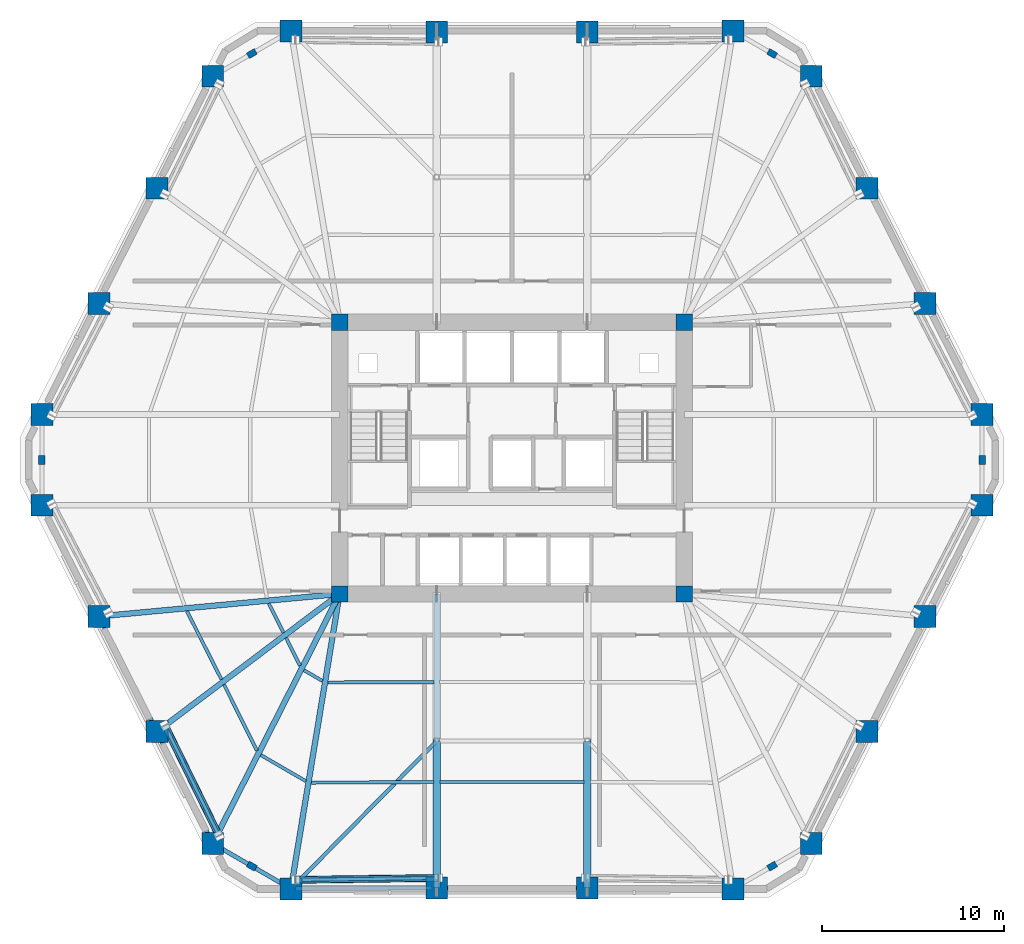
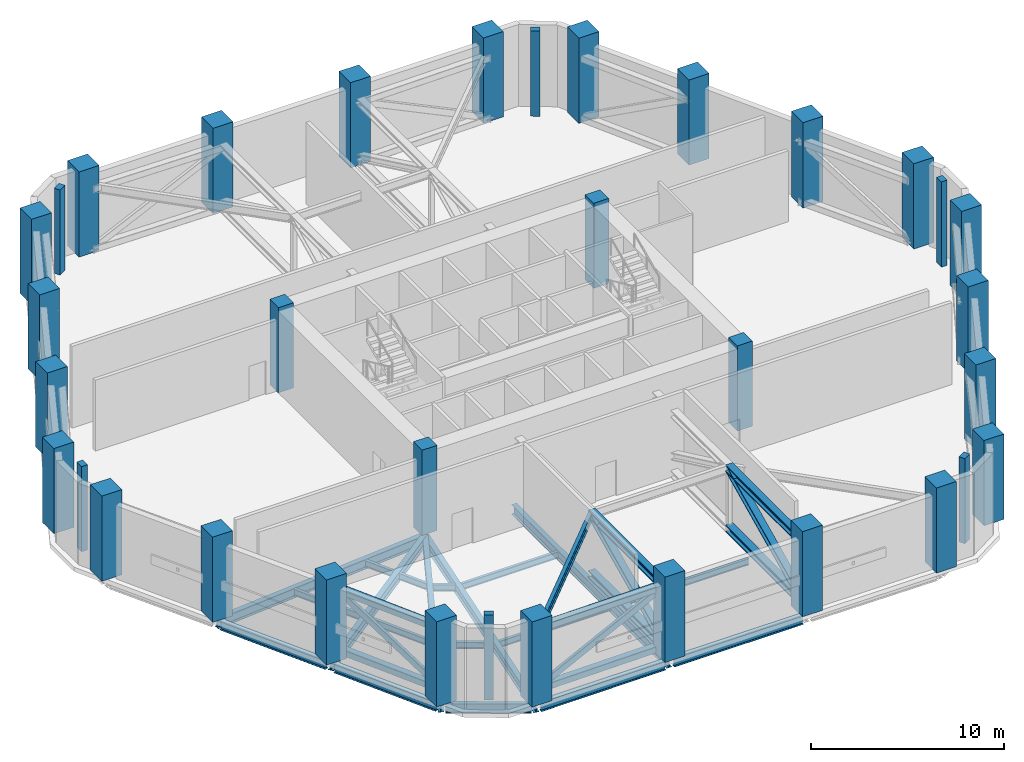
# One storey, part 1 of 19: 34 columns, 20 beams, 12 members.
"""IFC4 building model written with IfcOpenShell, lengths in metres."""

import ifcopenshell
import ifcopenshell.guid

model = None  # the IFC model being written
_history = None  # IfcOwnerHistory: only IFC2X3 demands one
_inside = {}  # id of a spatial element -> (the spatial element, [elements in it])
_under = {}  # id of a project, library or spatial element -> (it, [spatial elements below it])
_declared = {}  # id of a project -> (the project, [libraries it declares])
_typed = {}  # id of a type object -> (the type object, [elements of that type])
_made_of = {}  # id of a material, layer set ... -> (it, [elements and type objects made of it])


def new_model(schema):
    """Start an empty IFC model of exactly this schema.

    Asked for "IFC4X3", IfcOpenShell would pick the latest addendum, in which some entities
    have other attributes; the version numbers below select the first issue.
    IFC2X3 requires an IfcOwnerHistory on every rooted entity: one is made here for all.
    """
    global model, _history
    if schema == "IFC4X3":
        model = ifcopenshell.file(schema_version=(4, 3, 0, 0))
    else:
        model = ifcopenshell.file(schema=schema)
    _inside.clear()
    _under.clear()
    _declared.clear()
    _typed.clear()
    _made_of.clear()
    _history = None
    if model.schema == "IFC2X3":
        org = make("IfcOrganization", Name="unknown")
        user = make(
            "IfcPersonAndOrganization",
            ThePerson=make("IfcPerson", FamilyName="unknown"),
            TheOrganization=org,
        )
        app = make(
            "IfcApplication",
            ApplicationDeveloper=org,
            Version="unknown",
            ApplicationFullName="unknown",
            ApplicationIdentifier="unknown",
        )
        _history = make(
            "IfcOwnerHistory",
            OwningUser=user,
            OwningApplication=app,
            ChangeAction="ADDED",
            CreationDate=0,
        )
    return model


def make(cls, **values):
    """One entity of the class cls with the attributes given. An attribute that is None is left unset."""
    return model.create_entity(
        cls, **{name: value for name, value in values.items() if value is not None}
    )


def rooted(cls, **values):
    """An entity with a GlobalId (a new one), such as an element, a storey or a relation."""
    return make(cls, GlobalId=ifcopenshell.guid.new(), OwnerHistory=_history, **values)


def si_unit(unit_type, name, prefix=None):
    """IfcSIUnit, for example si_unit("LENGTHUNIT", "METRE", prefix="MILLI")."""
    return make("IfcSIUnit", UnitType=unit_type, Prefix=prefix, Name=name)


def assignment(units):
    """IfcUnitAssignment: the units of a project."""
    return None if units is None else make("IfcUnitAssignment", Units=units)


def point(xyz):
    """IfcCartesianPoint."""
    return None if xyz is None else make("IfcCartesianPoint", Coordinates=xyz)


def direction(xyz):
    """IfcDirection."""
    return None if xyz is None else make("IfcDirection", DirectionRatios=xyz)


def frame(location, z_axis=None, x_axis=None):
    """IfcAxis2Placement3D, a coordinate frame: its origin and axes. An axis left out is left unset."""
    return make(
        "IfcAxis2Placement3D",
        Location=point(location),
        Axis=direction(z_axis),
        RefDirection=direction(x_axis),
    )


def frame_2d(location, x_axis=None):
    """IfcAxis2Placement2D, a coordinate frame in the plane: its origin and x axis."""
    return make(
        "IfcAxis2Placement2D", Location=point(location), RefDirection=direction(x_axis)
    )


def origin():
    """The frame at (0, 0, 0) with its axes left unset."""
    return frame((0.0, 0.0, 0.0))


def origin_2d():
    """The frame at (0, 0) in the plane with its x axis left unset."""
    return frame_2d((0.0, 0.0))


def place(relative_to, where):
    """IfcLocalPlacement: puts the frame where relative to a parent placement (None: the world)."""
    return make(
        "IfcLocalPlacement", PlacementRelTo=relative_to, RelativePlacement=where
    )


def context(
    kind, dimensions, precision=None, world=None, true_north=None, identifier=None
):
    """IfcGeometricRepresentationContext, for example the 3D "Model" context."""
    return make(
        "IfcGeometricRepresentationContext",
        ContextIdentifier=identifier,
        ContextType=kind,
        CoordinateSpaceDimension=dimensions,
        Precision=precision,
        WorldCoordinateSystem=world,
        TrueNorth=true_north,
    )


def subcontext(parent, identifier, kind, view, scale=None):
    """IfcGeometricRepresentationSubContext, for example "Body" below "Model"."""
    return make(
        "IfcGeometricRepresentationSubContext",
        ContextIdentifier=identifier,
        ContextType=kind,
        ParentContext=parent,
        TargetScale=scale,
        TargetView=view,
    )


def project(units=None, contexts=None):
    """IfcProject with its units and contexts."""
    return rooted(
        "IfcProject",
        Name="project",
        RepresentationContexts=contexts,
        UnitsInContext=assignment(units),
    )


def spatial(cls, under=None, at=None, **own):
    """A site, building, storey or space (cls), placed at a placement, below another one or the project."""
    s = rooted(cls, ObjectPlacement=at, **own)
    if under is not None:
        _under.setdefault(under.id(), (under, []))[1].append(s)
    return s


def profile(cls, at=None, kind="AREA", **sizes):
    """A parametric profile (cls). Its sizes go by their IFC names, for example OverallWidth=200.0."""
    return make(cls, ProfileType=kind, Position=at, **sizes)


def rectangle(**sizes):
    """IfcRectangleProfileDef."""
    return profile("IfcRectangleProfileDef", **sizes)


def hollow_rectangle(**sizes):
    """IfcRectangleHollowProfileDef."""
    return profile("IfcRectangleHollowProfileDef", **sizes)


def i_section(**sizes):
    """IfcIShapeProfileDef."""
    return profile("IfcIShapeProfileDef", **sizes)


def extrude(swept, where, along, depth):
    """IfcExtrudedAreaSolid: the profile swept, set in the frame where, extruded along a direction by depth."""
    return make(
        "IfcExtrudedAreaSolid",
        SweptArea=swept,
        Position=where,
        ExtrudedDirection=direction(along),
        Depth=depth,
    )


def shape(context_of_items, identifier, shape_type, items):
    """IfcShapeRepresentation: the items that make up one representation, for example the "Body"."""
    return make(
        "IfcShapeRepresentation",
        ContextOfItems=context_of_items,
        RepresentationIdentifier=identifier,
        RepresentationType=shape_type,
        Items=items,
    )


def material(Name=None, Category=None):
    """IfcMaterial."""
    return make("IfcMaterial", Name=Name, Category=Category)


def material_profile(
    of_material, cross_section, Name=None, Category=None, Priority=None
):
    """IfcMaterialProfile: a cross section and its material."""
    return make(
        "IfcMaterialProfile",
        Name=Name,
        Material=of_material,
        Profile=cross_section,
        Priority=Priority,
        Category=Category,
    )


def profile_set(profiles, Name=None, composite=None):
    """IfcMaterialProfileSet."""
    return make(
        "IfcMaterialProfileSet",
        Name=Name,
        MaterialProfiles=profiles,
        CompositeProfile=composite,
    )


def made_of(thing, what):
    """Note that an element or type object is made of a material, layer set ...; save() writes the relation."""
    if what is not None:
        _made_of.setdefault(what.id(), (what, []))[1].append(thing)
    return thing


def type_object(cls, material=None, **own):
    """A type object (cls), such as IfcWallType, which elements share."""
    return made_of(rooted(cls, **own), material)


def element(
    cls,
    number,
    at=None,
    inside=None,
    cuts=None,
    type_object=None,
    material=None,
    context=None,
    identifier="Body",
    shape_type=None,
    held_by="IfcProductDefinitionShape",
    body=None,
    shapes=None,
    **own,
):
    """One element of the class cls, such as IfcWall. Its Tag is "e" and its number.

    at: its placement. inside: the storey or other place that contains it. cuts: it is an
    opening in that element (IfcRelVoidsElement). A single representation is given by context,
    identifier, shape_type and body (its items); several are given by shapes. held_by: the class
    of the entity that holds the representations. save() writes the other relations.
    """
    e = rooted(cls, Tag="e%d" % number, ObjectPlacement=at, **own)
    if body is not None:
        shapes = [shape(context, identifier, shape_type, body)]
    if shapes is not None:
        e.Representation = make(held_by, Representations=shapes)
    if inside is not None:
        _inside.setdefault(inside.id(), (inside, []))[1].append(e)
    if cuts is not None:
        rooted(
            "IfcRelVoidsElement", RelatingBuildingElement=cuts, RelatedOpeningElement=e
        )
    if type_object is not None:
        _typed.setdefault(type_object.id(), (type_object, []))[1].append(e)
    return made_of(e, material)


def aggregate(whole, parts):
    """IfcRelAggregates: a whole, such as a stair, and the parts it consists of."""
    return rooted("IfcRelAggregates", RelatingObject=whole, RelatedObjects=parts)


def save(model, path):
    """Write the relations noted so far, then the file.

    IfcRelAggregates (storeys below a building ...), IfcRelContainedInSpatialStructure (elements
    in a storey), IfcRelDefinesByType, IfcRelAssociatesMaterial and IfcRelDeclares: one each for
    every whole, place, type object, material and project.
    """
    for whole, parts in _under.values():
        aggregate(whole, parts)
    for where, things in _inside.values():
        rooted(
            "IfcRelContainedInSpatialStructure",
            RelatedElements=things,
            RelatingStructure=where,
        )
    for kind, things in _typed.values():
        rooted("IfcRelDefinesByType", RelatedObjects=things, RelatingType=kind)
    for what, things in _made_of.values():
        rooted("IfcRelAssociatesMaterial", RelatedObjects=things, RelatingMaterial=what)
    for by, libraries in _declared.values():
        rooted("IfcRelDeclares", RelatingContext=by, RelatedDefinitions=libraries)
    model.write(path)


model = new_model("IFC4")

# Units and contexts
model_context = context("Model", 3, precision=1e-05, world=origin(), true_north=direction((0.0, 1.0)))
body_context = subcontext(model_context, "Body", "Model", "MODEL_VIEW")
ifc_project = project(units=[si_unit("LENGTHUNIT", "METRE"), si_unit("AREAUNIT", "SQUARE_METRE"), si_unit("VOLUMEUNIT", "CUBIC_METRE"), si_unit("PLANEANGLEUNIT", "RADIAN"), si_unit("MASSUNIT", "GRAM", prefix="KILO")], contexts=[model_context])

# Site, building, storey
site_placement = place(None, origin())
site = spatial("IfcSite", under=ifc_project, at=site_placement, CompositionType="ELEMENT")
building_placement = place(site_placement, origin())
building = spatial("IfcBuilding", under=site, at=building_placement, Name="Cinnabar Lancet Tower", CompositionType="ELEMENT")
storey_placement = place(building_placement, frame((0.0, 0.0, 74.60009765625)))
storey = spatial("IfcBuildingStorey", under=building, at=storey_placement, Name="L19", CompositionType="ELEMENT", Elevation=74.60009765625)

# Columns
ifc_material_1 = material(Name="Concrete C80/95", Category="concrete")
ifc_material_profile_1 = material_profile(ifc_material_1, rectangle(XDim=0.89990234375, YDim=0.89990234375, at=origin_2d()), Name="RC-COL 900x900")
ifc_profile_set_1 = profile_set([ifc_material_profile_1], Name="Concrete C80/95")
column_type_1 = type_object("IfcColumnType", Name="STR-COL-CORE-900", PredefinedType="COLUMN", material=ifc_profile_set_1)
for number, where, z_axis, x_axis, name in (
    (1, (22.949951171875, 18.449951171875, 0.0), (0.0, 0.0, 1.0), (1.0, 0.0, 0.0), "L19 Core Corner Column SW"),
    (2, (41.85009765625, 18.449951171875, 0.0), (0.0, 0.0, 1.0), (1.0, 0.0, 0.0), "L19 Core Corner Column SE"),
    (3, (41.85009765625, 33.35009765625, 0.0), (0.0, 0.0, 1.0), (1.0, 0.0, 0.0), "L19 Core Corner Column NE"),
    (4, (22.949951171875, 33.35009765625, 0.0), (0.0, 0.0, 1.0), (1.0, 0.0, 0.0), "L19 Core Corner Column NW"),
):
    element("IfcColumn", number, at=place(storey_placement, frame(where, z_axis=z_axis, x_axis=x_axis)), inside=storey, type_object=column_type_1, Name=name, PredefinedType="COLUMN", context=body_context, shape_type="SweptSolid", body=[
        extrude(rectangle(XDim=0.89990234375, YDim=0.89990234375, at=origin_2d()), origin(), (0.0, 0.0, 1.0), 5.39990234375),
    ])
ifc_material_2 = material(Name="Concrete C60/75", Category="concrete")
ifc_material_profile_2 = material_profile(ifc_material_2, rectangle(XDim=0.5, YDim=0.35009765625, at=origin_2d()), Name="RC-PIL 500x350")
ifc_profile_set_2 = profile_set([ifc_material_profile_2], Name="Concrete C60/75")
column_type_2 = type_object("IfcColumnType", Name="STR-COL-PIL-500", PredefinedType="PILASTER", material=ifc_profile_set_2)
for number, where, z_axis, x_axis, name in (
    (5, (18.139892578125, 3.531005859375, 0.0), (0.0, 0.0, 1.0), (0.865195182343, -0.501435236546, 0.0), "L19 Chamfered Corner Pilaster 1"),
    (6, (46.659912109375, 3.531005859375, 0.0), (0.0, 0.0, 1.0), (0.865195182343, 0.501435236546, 0.0), "L19 Chamfered Corner Pilaster 2"),
    (7, (58.16796875, 25.800048828125, 0.0), (0.0, 0.0, 1.0), (0.0, 1.0, 0.0), "L19 Chamfered Corner Pilaster 3"),
    (8, (46.659912109375, 48.069091796875, 0.0), (0.0, 0.0, 1.0), (-0.865195182343, 0.501435236546, 0.0), "L19 Chamfered Corner Pilaster 4"),
    (9, (18.139892578125, 48.069091796875, 0.0), (0.0, 0.0, 1.0), (-0.865195182343, -0.501435236546, 0.0), "L19 Chamfered Corner Pilaster 5"),
    (10, (6.632080078125, 25.800048828125, 0.0), (0.0, 0.0, 1.0), (0.0, -1.0, 0.0), "L19 Chamfered Corner Pilaster 6"),
):
    element("IfcColumn", number, at=place(storey_placement, frame(where, z_axis=z_axis, x_axis=x_axis)), inside=storey, type_object=column_type_2, Name=name, PredefinedType="PILASTER", context=body_context, shape_type="SweptSolid", body=[
        extrude(rectangle(XDim=0.5, YDim=0.35009765625, at=origin_2d()), origin(), (0.0, 0.0, 1.0), 5.39990234375),
    ])
ifc_material_3 = material(Name="Concrete C80/95", Category="concrete")
ifc_material_profile_3 = material_profile(ifc_material_3, rectangle(XDim=1.199951171875, YDim=1.199951171875, at=origin_2d()), Name="RC-COL 1200x1200")
ifc_profile_set_3 = profile_set([ifc_material_profile_3], Name="Concrete C80/95")
column_type_3 = type_object("IfcColumnType", Name="STR-COL-TUBE-1200", PredefinedType="COLUMN", material=ifc_profile_set_3)
for number, where, z_axis, x_axis, name in (
    (11, (20.282958984375, 2.2890625, 0.0), (0.0, 0.0, 1.0), (1.0, 0.0, 0.0), "L19 Perimeter Tube Column 1"),
    (12, (28.278076171875, 2.342041015625, 0.0), (0.0, 0.0, 1.0), (1.0, 0.0, 0.0), "L19 Perimeter Tube Column 2"),
    (13, (36.52197265625, 2.342041015625, 0.0), (0.0, 0.0, 1.0), (1.0, 0.0, 0.0), "L19 Perimeter Tube Column 3"),
    (14, (44.51708984375, 2.2890625, 0.0), (0.0, 0.0, 1.0), (1.0, 0.0, 0.0), "L19 Perimeter Tube Column 4"),
    (15, (48.802978515625, 4.77294921875, 0.0), (0.0, 0.0, 1.0), (1.0, 0.0, 0.0), "L19 Perimeter Tube Column 5"),
    (16, (51.85888671875, 10.908935546875, 0.0), (0.0, 0.0, 1.0), (1.0, 0.0, 0.0), "L19 Perimeter Tube Column 6"),
    (17, (55.0458984375, 17.219970703125, 0.0), (0.0, 0.0, 1.0), (1.0, 0.0, 0.0), "L19 Perimeter Tube Column 7"),
    (18, (58.16796875, 23.31396484375, 0.0), (0.0, 0.0, 1.0), (1.0, 0.0, 0.0), "L19 Perimeter Tube Column 8"),
    (19, (58.16796875, 28.285888671875, 0.0), (0.0, 0.0, 1.0), (1.0, 0.0, 0.0), "L19 Perimeter Tube Column 9"),
    (20, (55.0458984375, 34.3798828125, 0.0), (0.0, 0.0, 1.0), (1.0, 0.0, 0.0), "L19 Perimeter Tube Column 10"),
    (21, (51.85888671875, 40.69091796875, 0.0), (0.0, 0.0, 1.0), (1.0, 0.0, 0.0), "L19 Perimeter Tube Column 11"),
    (22, (48.802978515625, 46.826904296875, 0.0), (0.0, 0.0, 1.0), (1.0, 0.0, 0.0), "L19 Perimeter Tube Column 12"),
    (23, (44.51708984375, 49.31103515625, 0.0), (0.0, 0.0, 1.0), (1.0, 0.0, 0.0), "L19 Perimeter Tube Column 13"),
    (24, (36.52197265625, 49.258056640625, 0.0), (0.0, 0.0, 1.0), (1.0, 0.0, 0.0), "L19 Perimeter Tube Column 14"),
    (25, (28.278076171875, 49.258056640625, 0.0), (0.0, 0.0, 1.0), (1.0, 0.0, 0.0), "L19 Perimeter Tube Column 15"),
    (26, (20.282958984375, 49.31103515625, 0.0), (0.0, 0.0, 1.0), (1.0, 0.0, 0.0), "L19 Perimeter Tube Column 16"),
    (27, (15.9970703125, 46.826904296875, 0.0), (0.0, 0.0, 1.0), (1.0, 0.0, 0.0), "L19 Perimeter Tube Column 17"),
    (28, (12.94091796875, 40.69091796875, 0.0), (0.0, 0.0, 1.0), (1.0, 0.0, 0.0), "L19 Perimeter Tube Column 18"),
    (29, (9.75390625, 34.3798828125, 0.0), (0.0, 0.0, 1.0), (1.0, 0.0, 0.0), "L19 Perimeter Tube Column 19"),
    (30, (6.632080078125, 28.285888671875, 0.0), (0.0, 0.0, 1.0), (1.0, 0.0, 0.0), "L19 Perimeter Tube Column 20"),
    (31, (6.632080078125, 23.31396484375, 0.0), (0.0, 0.0, 1.0), (1.0, 0.0, 0.0), "L19 Perimeter Tube Column 21"),
    (32, (9.75390625, 17.219970703125, 0.0), (0.0, 0.0, 1.0), (1.0, 0.0, 0.0), "L19 Perimeter Tube Column 22"),
    (33, (12.94091796875, 10.908935546875, 0.0), (0.0, 0.0, 1.0), (1.0, 0.0, 0.0), "L19 Perimeter Tube Column 23"),
    (34, (15.9970703125, 4.77294921875, 0.0), (0.0, 0.0, 1.0), (1.0, 0.0, 0.0), "L19 Perimeter Tube Column 24"),
):
    element("IfcColumn", number, at=place(storey_placement, frame(where, z_axis=z_axis, x_axis=x_axis)), inside=storey, type_object=column_type_3, Name=name, PredefinedType="COLUMN", context=body_context, shape_type="SweptSolid", body=[
        extrude(rectangle(XDim=1.199951171875, YDim=1.199951171875, at=origin_2d()), origin(), (0.0, 0.0, 1.0), 5.39990234375),
    ])

# Beams
ifc_material_4 = material(Name="Structural steel S355", Category="steel")
ifc_material_profile_4 = material_profile(ifc_material_4, i_section(OverallWidth=0.177978515625, OverallDepth=0.406494140625, WebThickness=0.0078125, FlangeThickness=0.0126953125, FilletRadius=0.01025390625, at=origin_2d()), Name="UKB 406x178x60")
ifc_profile_set_4 = profile_set([ifc_material_profile_4], Name="Structural steel S355")
beam_type_1 = type_object("IfcBeamType", Name="STR-BM-JST-406", PredefinedType="JOIST", material=ifc_profile_set_4)
beam_1_placement = place(storey_placement, frame((14.5791015625, 17.51611328125, -0.483154296875), z_axis=(0.450717414682, -0.892666685893, 0.0), x_axis=(0.892666685893, 0.450717414682, 0.0)))
element("IfcBeam", 35, at=beam_1_placement, inside=storey, type_object=beam_type_1, Name="L19 Secondary Floor Joist 3", PredefinedType="JOIST", context=body_context, shape_type="SweptSolid", body=[
    extrude(i_section(OverallWidth=0.177978515625, OverallDepth=0.406494140625, WebThickness=0.0078125, FlangeThickness=0.0126953125, FilletRadius=0.01025390625, at=origin_2d()), origin(), (0.0, 0.0, 1.0), 4.204345703125),
])
beam_2_placement = place(storey_placement, frame((19.06591796875, 17.93408203125, -0.483154296875), z_axis=(0.450519589093, -0.892766542744, 0.0), x_axis=(0.892766542744, 0.450519589093, 0.0)))
element("IfcBeam", 36, at=beam_2_placement, inside=storey, type_object=beam_type_1, Name="L19 Secondary Floor Joist 4", PredefinedType="JOIST", context=body_context, shape_type="SweptSolid", body=[
    extrude(i_section(OverallWidth=0.177978515625, OverallDepth=0.406494140625, WebThickness=0.0078125, FlangeThickness=0.0126953125, FilletRadius=0.01025390625, at=origin_2d()), origin(), (0.0, 0.0, 1.0), 1.80029296875),
])
beam_3_placement = place(storey_placement, frame((16.614013671875, 13.48388671875, -0.483154296875), z_axis=(0.445835127839, -0.895115098065, 0.0), x_axis=(0.895115098065, 0.445835127839, 0.0)))
element("IfcBeam", 37, at=beam_3_placement, inside=storey, type_object=beam_type_1, Name="L19 Secondary Floor Joist 5", PredefinedType="JOIST", context=body_context, shape_type="SweptSolid", body=[
    extrude(i_section(OverallWidth=0.177978515625, OverallDepth=0.406494140625, WebThickness=0.0078125, FlangeThickness=0.0126953125, FilletRadius=0.01025390625, at=origin_2d()), origin(), (0.0, 0.0, 1.0), 4.03955078125),
])
beam_4_placement = place(storey_placement, frame((20.01708984375, 16.048095703125, -0.483154296875), z_axis=(0.44578468599, -0.895140220154, 0.0), x_axis=(0.895140220154, 0.44578468599, 0.0)))
element("IfcBeam", 38, at=beam_4_placement, inside=storey, type_object=beam_type_1, Name="L19 Secondary Floor Joist 6", PredefinedType="JOIST", context=body_context, shape_type="SweptSolid", body=[
    extrude(i_section(OverallWidth=0.177978515625, OverallDepth=0.406494140625, WebThickness=0.0078125, FlangeThickness=0.0126953125, FilletRadius=0.01025390625, at=origin_2d()), origin(), (0.0, 0.0, 1.0), 1.709228515625),
])
beam_5_placement = place(storey_placement, frame((18.633056640625, 9.6201171875, -0.483154296875), z_axis=(0.865076496111, -0.501639966387, 0.0), x_axis=(0.501639966387, 0.865076496111, 0.0)))
element("IfcBeam", 39, at=beam_5_placement, inside=storey, type_object=beam_type_1, Name="L19 Secondary Floor Joist 7", PredefinedType="JOIST", context=body_context, shape_type="SweptSolid", body=[
    extrude(i_section(OverallWidth=0.177978515625, OverallDepth=0.406494140625, WebThickness=0.0078125, FlangeThickness=0.0126953125, FilletRadius=0.01025390625, at=origin_2d()), origin(), (0.0, 0.0, 1.0), 2.85302734375),
])
beam_6_placement = place(storey_placement, frame((20.9970703125, 14.27001953125, -0.483154296875), z_axis=(0.865192550274, -0.50143977799, 0.0), x_axis=(0.50143977799, 0.865192550274, 0.0)))
element("IfcBeam", 40, at=beam_6_placement, inside=storey, type_object=beam_type_1, Name="L19 Secondary Floor Joist 8", PredefinedType="JOIST", context=body_context, shape_type="SweptSolid", body=[
    extrude(i_section(OverallWidth=0.177978515625, OverallDepth=0.406494140625, WebThickness=0.0078125, FlangeThickness=0.0126953125, FilletRadius=0.01025390625, at=origin_2d()), origin(), (0.0, 0.0, 1.0), 1.16845703125),
])
beam_7_placement = place(storey_placement, frame((21.39892578125, 8.10791015625, -0.483154296875), z_axis=(0.999988691939, 0.004755627628, 0.0), x_axis=(-0.004755627628, 0.999988691939, 0.0)))
element("IfcBeam", 41, at=beam_7_placement, inside=storey, type_object=beam_type_1, Name="L19 Secondary Floor Joist 9", PredefinedType="JOIST", context=body_context, shape_type="SweptSolid", body=[
    extrude(i_section(OverallWidth=0.177978515625, OverallDepth=0.406494140625, WebThickness=0.0078125, FlangeThickness=0.0126953125, FilletRadius=0.01025390625, at=origin_2d()), origin(), (0.0, 0.0, 1.0), 6.72509765625),
])
beam_8_placement = place(storey_placement, frame((22.305908203125, 13.60205078125, -0.483154296875), z_axis=(0.999996724007, 0.002559682773, 0.0), x_axis=(-0.002559682773, 0.999996724007, 0.0)))
element("IfcBeam", 42, at=beam_8_placement, inside=storey, type_object=beam_type_1, Name="L19 Secondary Floor Joist 10", PredefinedType="JOIST", context=body_context, shape_type="SweptSolid", body=[
    extrude(i_section(OverallWidth=0.177978515625, OverallDepth=0.406494140625, WebThickness=0.0078125, FlangeThickness=0.0126953125, FilletRadius=0.01025390625, at=origin_2d()), origin(), (0.0, 0.0, 1.0), 5.818115234375),
])
beam_9_placement = place(storey_placement, frame((28.431884765625, 8.14111328125, -0.483154296875), z_axis=(1.0, 0.0, 0.0), x_axis=(0.0, 1.0, 0.0)))
element("IfcBeam", 43, at=beam_9_placement, inside=storey, type_object=beam_type_1, Name="L19 Secondary Floor Joist 11", PredefinedType="JOIST", context=body_context, shape_type="SweptSolid", body=[
    extrude(i_section(OverallWidth=0.177978515625, OverallDepth=0.406494140625, WebThickness=0.0078125, FlangeThickness=0.0126953125, FilletRadius=0.01025390625, at=origin_2d()), origin(), (0.0, 0.0, 1.0), 7.93603515625),
])
ifc_material_5 = material(Name="Structural steel S355", Category="steel")
ifc_material_profile_5 = material_profile(ifc_material_5, i_section(OverallWidth=0.228271484375, OverallDepth=0.607666015625, WebThickness=0.010986328125, FlangeThickness=0.017333984375, FilletRadius=0.0126953125, at=origin_2d()), Name="UKB 610x229x113")
ifc_profile_set_5 = profile_set([ifc_material_profile_5], Name="Structural steel S355")
beam_type_2 = type_object("IfcBeamType", Name="STR-BM-SPN-610", PredefinedType="SPANDREL", material=ifc_profile_set_5)
beam_10_placement = place(storey_placement, frame((20.532958984375, 2.291015625, -0.583984375), z_axis=(0.99997856757, 0.006547090947, 0.0), x_axis=(-0.006547090947, 0.99997856757, 0.0)))
element("IfcBeam", 44, at=beam_10_placement, inside=storey, type_object=beam_type_2, Name="L19 Perimeter Spandrel 1", PredefinedType="SPANDREL", context=body_context, shape_type="SweptSolid", body=[
    extrude(i_section(OverallWidth=0.228271484375, OverallDepth=0.607666015625, WebThickness=0.010986328125, FlangeThickness=0.017333984375, FilletRadius=0.0126953125, at=origin_2d()), origin(), (0.0, 0.0, 1.0), 7.495361328125),
])
beam_11_placement = place(storey_placement, frame((28.528076171875, 2.342041015625, -0.583984375), z_axis=(1.0, 0.0, 0.0), x_axis=(0.0, 1.0, 0.0)))
element("IfcBeam", 45, at=beam_11_placement, inside=storey, type_object=beam_type_2, Name="L19 Perimeter Spandrel 2", PredefinedType="SPANDREL", context=body_context, shape_type="SweptSolid", body=[
    extrude(i_section(OverallWidth=0.228271484375, OverallDepth=0.607666015625, WebThickness=0.010986328125, FlangeThickness=0.017333984375, FilletRadius=0.0126953125, at=origin_2d()), origin(), (0.0, 0.0, 1.0), 7.743896484375),
])
beam_12_placement = place(storey_placement, frame((9.866943359375, 16.9970703125, -0.583984375), z_axis=(0.450673532306, -0.892688841242, 0.0), x_axis=(0.892688841242, 0.450673532306, 0.0)))
element("IfcBeam", 46, at=beam_12_placement, inside=storey, type_object=beam_type_2, Name="L19 Perimeter Spandrel 22", PredefinedType="SPANDREL", context=body_context, shape_type="SweptSolid", body=[
    extrude(i_section(OverallWidth=0.228271484375, OverallDepth=0.607666015625, WebThickness=0.010986328125, FlangeThickness=0.017333984375, FilletRadius=0.0126953125, at=origin_2d()), origin(), (0.0, 0.0, 1.0), 6.570068359375),
])
beam_13_placement = place(storey_placement, frame((13.052001953125, 10.68505859375, -0.583984375), z_axis=(0.445953050023, -0.89505635419, 0.0), x_axis=(0.89505635419, 0.445953050023, 0.0)))
element("IfcBeam", 47, at=beam_13_placement, inside=storey, type_object=beam_type_2, Name="L19 Perimeter Spandrel 23", PredefinedType="SPANDREL", context=body_context, shape_type="SweptSolid", body=[
    extrude(i_section(OverallWidth=0.228271484375, OverallDepth=0.607666015625, WebThickness=0.010986328125, FlangeThickness=0.017333984375, FilletRadius=0.0126953125, at=origin_2d()), origin(), (0.0, 0.0, 1.0), 6.35498046875),
])
beam_14_placement = place(storey_placement, frame((16.212890625, 4.64794921875, -0.583984375), z_axis=(0.865171017323, -0.501476929463, 0.0), x_axis=(0.501476929463, 0.865171017323, 0.0)))
element("IfcBeam", 48, at=beam_14_placement, inside=storey, type_object=beam_type_2, Name="L19 Perimeter Spandrel 24", PredefinedType="SPANDREL", context=body_context, shape_type="SweptSolid", body=[
    extrude(i_section(OverallWidth=0.228271484375, OverallDepth=0.607666015625, WebThickness=0.010986328125, FlangeThickness=0.017333984375, FilletRadius=0.0126953125, at=origin_2d()), origin(), (0.0, 0.0, 1.0), 4.45458984375),
])
ifc_material_6 = material(Name="Structural steel S355", Category="steel")
ifc_material_profile_6 = material_profile(ifc_material_6, i_section(OverallWidth=0.209228515625, OverallDepth=0.533203125, WebThickness=0.010009765625, FlangeThickness=0.015625, FilletRadius=0.0126953125, at=origin_2d()), Name="UKB 533x210x92")
ifc_profile_set_6 = profile_set([ifc_material_profile_6], Name="Structural steel S355")
beam_type_3 = type_object("IfcBeamType", Name="STR-BM-UKB533-92", PredefinedType="BEAM", material=ifc_profile_set_6)
beam_15_placement = place(storey_placement, frame((20.282958984375, 2.2890625, 3.98291015625), z_axis=(0.702179536153, 0.711999929079, 0.0), x_axis=(-0.711999929079, 0.702179536153, 0.0)))
element("IfcBeam", 49, at=beam_15_placement, inside=storey, type_object=beam_type_3, Name="L19 Outrigger S Tie Beam 1", PredefinedType="BEAM", context=body_context, shape_type="SweptSolid", body=[
    extrude(i_section(OverallWidth=0.209228515625, OverallDepth=0.533203125, WebThickness=0.010009765625, FlangeThickness=0.015625, FilletRadius=0.0126953125, at=origin_2d()), origin(), (0.0, 0.0, 1.0), 11.38623046875),
])
ifc_material_7 = material(Name="Structural steel S355", Category="steel")
ifc_material_profile_7 = material_profile(ifc_material_7, i_section(OverallWidth=0.30712890625, OverallDepth=0.6201171875, WebThickness=0.01416015625, FlangeThickness=0.023681640625, FilletRadius=0.0166015625, at=origin_2d()), Name="UKB 610x305x179")
ifc_profile_set_7 = profile_set([ifc_material_profile_7], Name="Structural steel S355")
beam_type_4 = type_object("IfcBeamType", Name="STR-BM-UKB610-179", PredefinedType="BEAM", material=ifc_profile_set_7)
beam_16_placement = place(storey_placement, frame((12.94091796875, 10.908935546875, -0.590087890625), z_axis=(0.798686588468, 0.601747233812, 0.0), x_axis=(-0.601747233812, 0.798686588468, 0.0)))
element("IfcBeam", 50, at=beam_16_placement, inside=storey, type_object=beam_type_4, Name="L19 Corner Collector Girder 1", PredefinedType="BEAM", context=body_context, shape_type="SweptSolid", body=[
    extrude(i_section(OverallWidth=0.30712890625, OverallDepth=0.6201171875, WebThickness=0.01416015625, FlangeThickness=0.023681640625, FilletRadius=0.0166015625, at=origin_2d()), origin(), (0.0, 0.0, 1.0), 12.531982421875),
])
beam_17_placement = place(storey_placement, frame((20.282958984375, 2.2890625, -0.590087890625), z_axis=(0.162825264118, 0.986654921117, 0.0), x_axis=(-0.986654921117, 0.162825264118, 0.0)))
element("IfcBeam", 51, at=beam_17_placement, inside=storey, type_object=beam_type_4, Name="L19 Primary Floor Girder 1", PredefinedType="BEAM", context=body_context, shape_type="SweptSolid", body=[
    extrude(i_section(OverallWidth=0.30712890625, OverallDepth=0.6201171875, WebThickness=0.01416015625, FlangeThickness=0.023681640625, FilletRadius=0.0166015625, at=origin_2d()), origin(), (0.0, 0.0, 1.0), 16.37939453125),
])
beam_18_placement = place(storey_placement, frame((28.278076171875, 2.342041015625, -0.590087890625), z_axis=(0.0, 1.0, 0.0), x_axis=(-1.0, 0.0, 0.0)))
element("IfcBeam", 52, at=beam_18_placement, inside=storey, type_object=beam_type_4, Name="L19 Primary Floor Girder 2", PredefinedType="BEAM", context=body_context, shape_type="SweptSolid", body=[
    extrude(i_section(OverallWidth=0.30712890625, OverallDepth=0.6201171875, WebThickness=0.01416015625, FlangeThickness=0.023681640625, FilletRadius=0.0166015625, at=origin_2d()), origin(), (0.0, 0.0, 1.0), 16.10791015625),
])
beam_19_placement = place(storey_placement, frame((9.75390625, 17.219970703125, -0.590087890625), z_axis=(0.995684210255, 0.092805998987, 0.0), x_axis=(-0.092805998987, 0.995684210255, 0.0)))
element("IfcBeam", 53, at=beam_19_placement, inside=storey, type_object=beam_type_4, Name="L19 Primary Floor Girder 22", PredefinedType="BEAM", context=body_context, shape_type="SweptSolid", body=[
    extrude(i_section(OverallWidth=0.30712890625, OverallDepth=0.6201171875, WebThickness=0.01416015625, FlangeThickness=0.023681640625, FilletRadius=0.0166015625, at=origin_2d()), origin(), (0.0, 0.0, 1.0), 13.253173828125),
])
beam_20_placement = place(storey_placement, frame((15.9970703125, 4.77294921875, -0.590087890625), z_axis=(0.453167599586, 0.89142533433, 0.0), x_axis=(-0.89142533433, 0.453167599586, 0.0)))
element("IfcBeam", 54, at=beam_20_placement, inside=storey, type_object=beam_type_4, Name="L19 Primary Floor Girder 24", PredefinedType="BEAM", context=body_context, shape_type="SweptSolid", body=[
    extrude(i_section(OverallWidth=0.30712890625, OverallDepth=0.6201171875, WebThickness=0.01416015625, FlangeThickness=0.023681640625, FilletRadius=0.0166015625, at=origin_2d()), origin(), (0.0, 0.0, 1.0), 15.3427734375),
])

# Members
ifc_material_8 = material(Name="Structural steel S460", Category="steel")
ifc_material_profile_8 = material_profile(ifc_material_8, hollow_rectangle(XDim=0.199951171875, YDim=0.39990234375, WallThickness=0.01611328125, InnerFilletRadius=0.008056640625, OuterFilletRadius=0.02392578125, at=origin_2d()), Name="RHS 400x200x16")
ifc_profile_set_8 = profile_set([ifc_material_profile_8], Name="Structural steel S460")
member_type_1 = type_object("IfcMemberType", Name="STR-MEM-BT-BRC400", PredefinedType="BRACE", material=ifc_profile_set_8)
member_1_placement = place(storey_placement, frame((20.534912109375, 2.778076171875, 0.219970703125), z_axis=(0.899318981689, 0.012157123129, 0.437124208356), x_axis=(-0.013516908606, 0.999908642418, 0.0)))
element("IfcMember", 55, at=member_1_placement, inside=storey, type_object=member_type_1, Name="L19 Belt Truss Face 1 Diagonal", PredefinedType="BRACE", context=body_context, shape_type="SweptSolid", body=[
    extrude(hollow_rectangle(XDim=0.199951171875, YDim=0.39990234375, WallThickness=0.01611328125, InnerFilletRadius=0.008056640625, OuterFilletRadius=0.02392578125, at=origin_2d()), origin(), (0.0, 0.0, 1.0), 8.715576171875),
])
member_2_placement = place(storey_placement, frame((13.3779296875, 11.242919921875, 4.02978515625), z_axis=(0.382738966596, -0.781246323576, -0.493117699284), x_axis=(0.898022879145, 0.439948756712, 0.0)))
element("IfcMember", 56, at=member_2_placement, inside=storey, type_object=member_type_1, Name="L19 Belt Truss Face 6 Diagonal", PredefinedType="BRACE", context=body_context, shape_type="SweptSolid", body=[
    extrude(hollow_rectangle(XDim=0.199951171875, YDim=0.39990234375, WallThickness=0.01611328125, InnerFilletRadius=0.008056640625, OuterFilletRadius=0.02392578125, at=origin_2d()), origin(), (0.0, 0.0, 1.0), 7.72607421875),
])
ifc_material_9 = material(Name="Structural steel S460", Category="steel")
ifc_material_profile_9 = material_profile(ifc_material_9, hollow_rectangle(XDim=0.39990234375, YDim=0.39990234375, WallThickness=0.02001953125, InnerFilletRadius=0.010009765625, OuterFilletRadius=0.030029296875, at=origin_2d()), Name="SHS 400x400x20")
ifc_profile_set_9 = profile_set([ifc_material_profile_9], Name="Structural steel S460")
member_type_2 = type_object("IfcMemberType", Name="STR-MEM-BT-CHD400", PredefinedType="CHORD", material=ifc_profile_set_9)
for number, where, z_axis, x_axis, name in (
    (57, (20.534912109375, 2.778076171875, 0.219970703125), (0.999908642418, 0.013516908606, 0.0), (-0.013516908606, 0.999908642418, 0.0), "L19 Belt Truss Face 1 Chord BC"),
    (58, (20.534912109375, 2.778076171875, 4.02978515625), (0.999908642418, 0.013516908606, 0.0), (-0.013516908606, 0.999908642418, 0.0), "L19 Belt Truss Face 1 Chord TC"),
):
    element("IfcMember", number, at=place(storey_placement, frame(where, z_axis=z_axis, x_axis=x_axis)), inside=storey, type_object=member_type_2, Name=name, PredefinedType="CHORD", context=body_context, shape_type="SweptSolid", body=[
        extrude(hollow_rectangle(XDim=0.39990234375, YDim=0.39990234375, WallThickness=0.02001953125, InnerFilletRadius=0.010009765625, OuterFilletRadius=0.030029296875, at=origin_2d()), origin(), (0.0, 0.0, 1.0), 7.8388671875),
    ])
for number, where, z_axis, x_axis, name in (
    (59, (13.3779296875, 11.242919921875, 0.219970703125), (0.439948756712, -0.898022879145, 0.0), (0.898022879145, 0.439948756712, 0.0), "L19 Belt Truss Face 6 Chord BC"),
    (60, (13.3779296875, 11.242919921875, 4.02978515625), (0.439948756712, -0.898022879145, 0.0), (0.898022879145, 0.439948756712, 0.0), "L19 Belt Truss Face 6 Chord TC"),
):
    element("IfcMember", number, at=place(storey_placement, frame(where, z_axis=z_axis, x_axis=x_axis)), inside=storey, type_object=member_type_2, Name=name, PredefinedType="CHORD", context=body_context, shape_type="SweptSolid", body=[
        extrude(hollow_rectangle(XDim=0.39990234375, YDim=0.39990234375, WallThickness=0.02001953125, InnerFilletRadius=0.010009765625, OuterFilletRadius=0.030029296875, at=origin_2d()), origin(), (0.0, 0.0, 1.0), 6.72119140625),
    ])
ifc_material_10 = material(Name="Structural steel S460", Category="steel")
ifc_material_profile_10 = material_profile(ifc_material_10, i_section(OverallWidth=0.406982421875, OverallDepth=0.4189453125, WebThickness=0.030517578125, FlangeThickness=0.04931640625, FilletRadius=0.01513671875, at=origin_2d()), Name="UKC 356x406x393")
ifc_profile_set_10 = profile_set([ifc_material_profile_10], Name="Structural steel S460")
member_type_3 = type_object("IfcMemberType", Name="STR-MEM-OT-BRC393", PredefinedType="BRACE", material=ifc_profile_set_10)
for number, where, z_axis, x_axis, name in (
    (61, (28.278076171875, 10.39599609375, 4.02978515625), (0.0, -0.903964243742, -0.427608051884), (1.0, 0.0, 0.0), "L19 Outrigger Truss 1 Diagonal 2"),
    (62, (36.52197265625, 10.39599609375, 4.02978515625), (0.0, -0.903964243742, -0.427608051884), (1.0, 0.0, 0.0), "L19 Outrigger Truss 2 Diagonal 2"),
):
    element("IfcMember", number, at=place(storey_placement, frame(where, z_axis=z_axis, x_axis=x_axis)), inside=storey, type_object=member_type_3, Name=name, PredefinedType="BRACE", context=body_context, shape_type="SweptSolid", body=[
        extrude(i_section(OverallWidth=0.406982421875, OverallDepth=0.4189453125, WebThickness=0.030517578125, FlangeThickness=0.04931640625, FilletRadius=0.01513671875, at=origin_2d()), origin(), (0.0, 0.0, 1.0), 8.90966796875),
    ])
ifc_material_11 = material(Name="Structural steel S460", Category="steel")
ifc_material_profile_11 = material_profile(ifc_material_11, i_section(OverallWidth=0.41796875, OverallDepth=0.455078125, WebThickness=0.0419921875, FlangeThickness=0.06201171875, FilletRadius=0.014892578125, at=origin_2d()), Name="HD 400x551")
ifc_profile_set_11 = profile_set([ifc_material_profile_11], Name="Structural steel S460")
member_type_4 = type_object("IfcMemberType", Name="STR-MEM-OT-CHD551", PredefinedType="CHORD", material=ifc_profile_set_11)
for number, where, z_axis, x_axis, name in (
    (63, (28.278076171875, 10.39599609375, 0.219970703125), (0.0, -1.0, 0.0), (1.0, 0.0, 0.0), "L19 Outrigger Truss 1 Chord BC2"),
    (64, (28.278076171875, 10.39599609375, 4.02978515625), (0.0, -1.0, 0.0), (1.0, 0.0, 0.0), "L19 Outrigger Truss 1 Chord TC2"),
    (65, (36.52197265625, 10.39599609375, 0.219970703125), (0.0, -1.0, 0.0), (1.0, 0.0, 0.0), "L19 Outrigger Truss 2 Chord BC2"),
    (66, (36.52197265625, 10.39599609375, 4.02978515625), (0.0, -1.0, 0.0), (1.0, 0.0, 0.0), "L19 Outrigger Truss 2 Chord TC2"),
):
    element("IfcMember", number, at=place(storey_placement, frame(where, z_axis=z_axis, x_axis=x_axis)), inside=storey, type_object=member_type_4, Name=name, PredefinedType="CHORD", context=body_context, shape_type="SweptSolid", body=[
        extrude(i_section(OverallWidth=0.41796875, OverallDepth=0.455078125, WebThickness=0.0419921875, FlangeThickness=0.06201171875, FilletRadius=0.014892578125, at=origin_2d()), origin(), (0.0, 0.0, 1.0), 8.053955078125),
    ])

save(model, "model.ifc")
